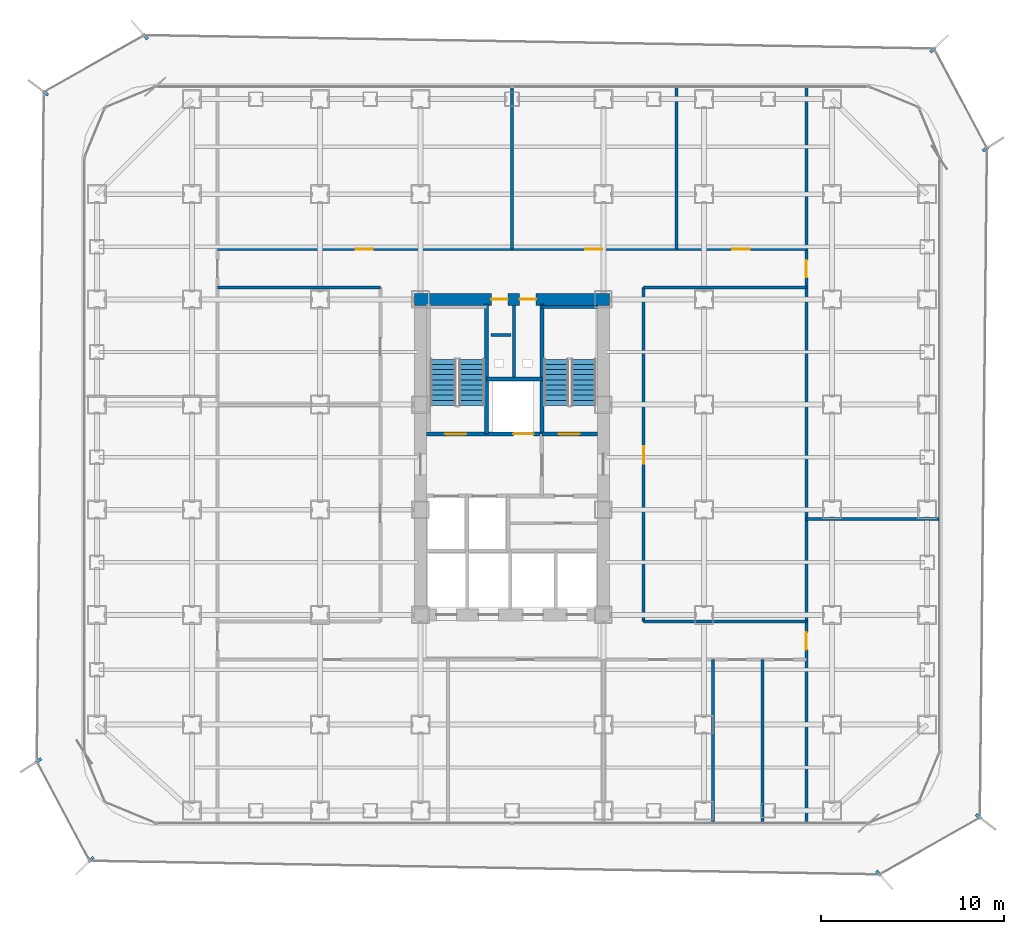
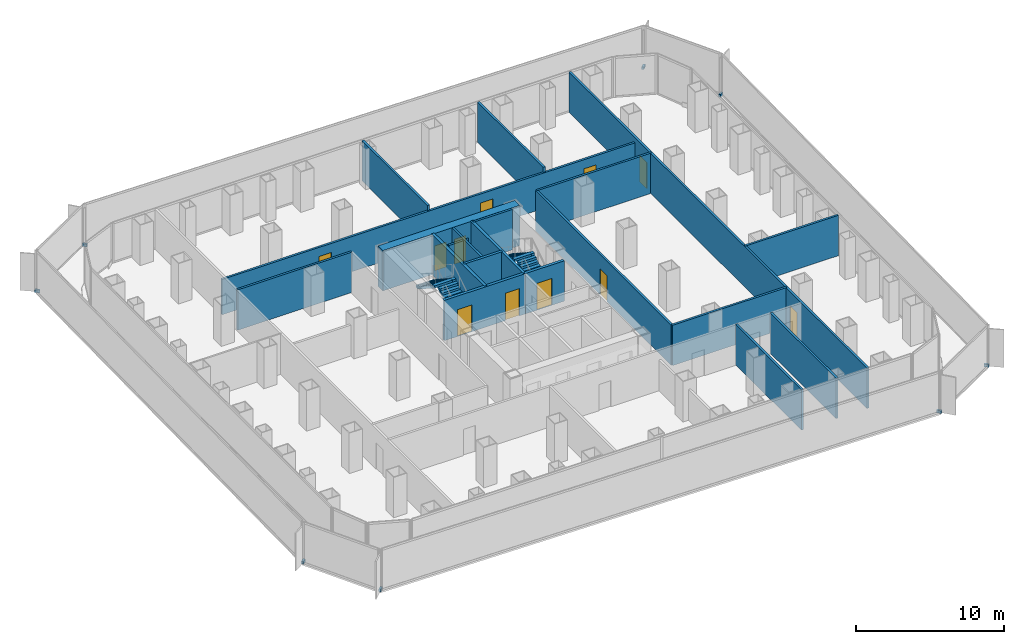
# One storey, part 18 of 21: 20 walls, 11 doors, 8 discrete accessories, 4 stair flights, 11 openings, 2 elements without a shape of their own.
"""IFC4 building model written with IfcOpenShell, lengths in metres."""

from ifc_helpers import new_model, si_unit, direction, frame, frame_2d, origin, origin_2d, place, context, subcontext, project, spatial, polyline, rectangle, outline, extrude, source, transform, mapped, material, layer, layer_set, type_object, element, fill, aggregate, save


model = new_model("IFC4")

# Units and contexts
model_context = context("Model", 3, precision=1e-05, world=origin(), true_north=direction((0.0, 1.0)))
body_context = subcontext(model_context, "Body", "Model", "MODEL_VIEW")
ifc_project = project(units=[si_unit("LENGTHUNIT", "METRE"), si_unit("AREAUNIT", "SQUARE_METRE"), si_unit("VOLUMEUNIT", "CUBIC_METRE"), si_unit("PLANEANGLEUNIT", "RADIAN"), si_unit("MASSUNIT", "GRAM", prefix="KILO")], contexts=[model_context])

# Site, building, storey
site_placement = place(None, origin())
site = spatial("IfcSite", under=ifc_project, at=site_placement, CompositionType="ELEMENT")
building_placement = place(site_placement, origin())
building = spatial("IfcBuilding", under=site, at=building_placement, Name="Kolveth Station Tower", CompositionType="ELEMENT")
storey_placement = place(building_placement, frame((0.0, 0.0, 40.5)))
storey = spatial("IfcBuildingStorey", under=building, at=storey_placement, Name="L10", CompositionType="ELEMENT", Elevation=40.5)

# Wall, openings, doors
ifc_material_1 = material(Name="Concrete C60/75", Category="concrete")
ifc_layer_1 = layer(ifc_material_1, 0.64990234375)
ifc_layer_set_1 = layer_set([ifc_layer_1], Name="Concrete C60/75")
wall_type_1 = type_object("IfcWallType", Name="Wall_CW-650", PredefinedType="SHEAR", material=ifc_layer_set_1)
wall_1_placement = place(storey_placement, frame((18.175048828125, 28.75, 0.0), z_axis=(0.0, 0.0, 1.0), x_axis=(1.0, 0.0, 0.0)))
wall_1 = element("IfcWall", 1, at=wall_1_placement, inside=storey, type_object=wall_type_1, Name="L10 Core RC Shear Wall N", PredefinedType="SHEAR", context=body_context, shape_type="SweptSolid", body=[
    extrude(rectangle(XDim=10.64990234375, YDim=0.64990234375, at=frame_2d((5.324951171875, 0.0))), origin(), (0.0, 0.0, 1.0), 3.320068359375),
])
opening_1_placement = place(wall_1_placement, frame((4.205078125, 0.0, 0.0)))
opening_1 = element("IfcOpeningElement", 2, at=opening_1_placement, cuts=wall_1, Name="Opening RD1", PredefinedType="OPENING", context=body_context, shape_type="SweptSolid", body=[
    extrude(rectangle(XDim=0.89990234375, YDim=2.050048828125, at=frame_2d((0.449951171875, 1.02490234375))), frame((0.0, 0.3349609375, 0.0), z_axis=(0.0, -1.0, 0.0), x_axis=(1.0, 0.0, 0.0)), (0.0, 0.0, 1.0), 0.669921875),
])
opening_2_placement = place(wall_1_placement, frame((5.7451171875, 0.0, 0.0)))
opening_2 = element("IfcOpeningElement", 3, at=opening_2_placement, cuts=wall_1, Name="Opening RD1", PredefinedType="OPENING", context=body_context, shape_type="SweptSolid", body=[
    extrude(rectangle(XDim=0.89990234375, YDim=2.050048828125, at=frame_2d((0.449951171875, 1.02490234375))), frame((0.0, 0.3349609375, 0.0), z_axis=(0.0, -1.0, 0.0), x_axis=(1.0, 0.0, 0.0)), (0.0, 0.0, 1.0), 0.669921875),
])
ifc_material_2 = material(Name="Fire-rated Steel S355 riser access leaf", Category="steel")
door_type_1 = type_object("IfcDoorType", Name="Door_RD1", OperationType="NOTDEFINED", PredefinedType="DOOR", material=ifc_material_2)
door_1_placement = place(opening_1_placement, origin())
door_1 = element("IfcDoor", 4, at=door_1_placement, inside=storey, type_object=door_type_1, Name="L10 Electrical Riser Access Door", OperationType="SINGLE_SWING_RIGHT", OverallHeight=2.050048828125, OverallWidth=0.89990234375, PredefinedType="DOOR", context=body_context, shape_type="SweptSolid", body=[
    extrude(rectangle(XDim=0.89990234375, YDim=2.050048828125, at=frame_2d((0.449951171875, 1.02490234375))), frame((0.0, 0.02490234375, 0.0), z_axis=(0.0, -1.0, 0.0), x_axis=(1.0, 0.0, 0.0)), (0.0, 0.0, 1.0), 0.050048828125),
])
fill(opening_1, door_1)
door_2_placement = place(opening_2_placement, origin())
door_2 = element("IfcDoor", 5, at=door_2_placement, inside=storey, type_object=door_type_1, Name="L10 Smoke Duct Access Door", OperationType="SINGLE_SWING_LEFT", OverallHeight=2.050048828125, OverallWidth=0.89990234375, PredefinedType="DOOR", context=body_context, shape_type="SweptSolid", body=[
    extrude(rectangle(XDim=0.89990234375, YDim=2.050048828125, at=frame_2d((0.449951171875, 1.02490234375))), frame((0.0, 0.02490234375, 0.0), z_axis=(0.0, -1.0, 0.0), x_axis=(1.0, 0.0, 0.0)), (0.0, 0.0, 1.0), 0.050048828125),
])
fill(opening_2, door_2)

# Walls
ifc_material_3 = material(Name="Acoustic double-stud gypsum partition")
ifc_layer_2 = layer(ifc_material_3, 0.1650390625)
ifc_layer_set_2 = layer_set([ifc_layer_2], Name="Acoustic double-stud gypsum partition")
wall_type_2 = type_object("IfcWallType", Name="Wall_IW-165", PredefinedType="PARTITIONING", material=ifc_layer_set_2)
wall_2_placement = place(storey_placement, frame((25.1298828125, 28.3349609375, 0.0), z_axis=(0.0, 0.0, 1.0), x_axis=(1.0, 0.0, 0.0)))
element("IfcWall", 6, at=wall_2_placement, inside=storey, type_object=wall_type_2, Name="L10 Stair Shaft Wall WL-L10-ST2-N", PredefinedType="PARTITIONING", context=body_context, shape_type="SweptSolid", body=[
    extrude(rectangle(XDim=3.03515625, YDim=0.1650390625, at=frame_2d((1.517578125, 0.0))), origin(), (0.0, 0.0, 1.0), 3.320068359375),
])
wall_3_placement = place(storey_placement, frame((23.6201171875, 24.39990234375, 0.0), z_axis=(0.0, 0.0, 1.0), x_axis=(0.0, 1.0, 0.0)))
element("IfcWall", 7, at=wall_3_placement, inside=storey, type_object=wall_type_2, Name="L10 Partition Wall WL-L10-RSR-M", PredefinedType="PARTITIONING", context=body_context, shape_type="SweptSolid", body=[
    extrude(rectangle(XDim=4.01513671875, YDim=0.1650390625, at=frame_2d((2.007568359375, 0.0))), origin(), (0.0, 0.0, 1.0), 3.320068359375),
])

# Wall, openings, doors
wall_4_placement = place(storey_placement, frame((7.39990234375, 31.5, 0.0), z_axis=(0.0, 0.0, 1.0), x_axis=(1.0, 0.0, 0.0)))
wall_4 = element("IfcWall", 8, at=wall_4_placement, inside=storey, type_object=wall_type_2, Name="L10 Partition Wall WL-L10-ON", PredefinedType="PARTITIONING", context=body_context, shape_type="SweptSolid", body=[
    extrude(rectangle(XDim=32.2001953125, YDim=0.1650390625, at=frame_2d((16.10009765625, 0.0))), origin(), (0.0, 0.0, 1.0), 2.89794921875),
])
opening_3_placement = place(wall_4_placement, frame((7.550048828125, 0.0, 0.0)))
opening_3 = element("IfcOpeningElement", 9, at=opening_3_placement, cuts=wall_4, Name="Opening ID1", PredefinedType="OPENING", context=body_context, shape_type="SweptSolid", body=[
    extrude(rectangle(XDim=0.949951171875, YDim=2.14990234375, at=frame_2d((0.47509765625, 1.074951171875))), frame((0.0, 0.092529296875, 0.0), z_axis=(0.0, -1.0, 0.0), x_axis=(1.0, 0.0, 0.0)), (0.0, 0.0, 1.0), 0.18505859375),
])
opening_4_placement = place(wall_4_placement, frame((20.10009765625, 0.0, 0.0)))
opening_4 = element("IfcOpeningElement", 10, at=opening_4_placement, cuts=wall_4, Name="Opening ID1", PredefinedType="OPENING", context=body_context, shape_type="SweptSolid", body=[
    extrude(rectangle(XDim=0.949951171875, YDim=2.14990234375, at=frame_2d((0.47509765625, 1.074951171875))), frame((0.0, 0.092529296875, 0.0), z_axis=(0.0, -1.0, 0.0), x_axis=(1.0, 0.0, 0.0)), (0.0, 0.0, 1.0), 0.18505859375),
])
opening_5_placement = place(wall_4_placement, frame((28.14990234375, 0.0, 0.0)))
opening_5 = element("IfcOpeningElement", 11, at=opening_5_placement, cuts=wall_4, Name="Opening ID1", PredefinedType="OPENING", context=body_context, shape_type="SweptSolid", body=[
    extrude(rectangle(XDim=0.949951171875, YDim=2.14990234375, at=frame_2d((0.47509765625, 1.074951171875))), frame((0.0, 0.092529296875, 0.0), z_axis=(0.0, -1.0, 0.0), x_axis=(1.0, 0.0, 0.0)), (0.0, 0.0, 1.0), 0.18505859375),
])
ifc_material_4 = material(Name="Acoustic hardwood leaf and aluminium frame", Category="wood")
door_type_2 = type_object("IfcDoorType", Name="Door_ID1", OperationType="NOTDEFINED", PredefinedType="DOOR", material=ifc_material_4)
door_3_placement = place(opening_3_placement, origin())
door_3 = element("IfcDoor", 12, at=door_3_placement, inside=storey, type_object=door_type_2, Name="L10 Training Seminar Room Door", OperationType="SINGLE_SWING_LEFT", OverallHeight=2.14990234375, OverallWidth=0.949951171875, PredefinedType="DOOR", context=body_context, shape_type="SweptSolid", body=[
    extrude(rectangle(XDim=0.949951171875, YDim=2.14990234375, at=frame_2d((0.47509765625, 1.074951171875))), frame((0.0, 0.02490234375, 0.0), z_axis=(0.0, -1.0, 0.0), x_axis=(1.0, 0.0, 0.0)), (0.0, 0.0, 1.0), 0.050048828125),
])
fill(opening_3, door_3)
door_4_placement = place(opening_4_placement, origin())
door_4 = element("IfcDoor", 13, at=door_4_placement, inside=storey, type_object=door_type_2, Name="L10 Project War Room Door", OperationType="SINGLE_SWING_LEFT", OverallHeight=2.14990234375, OverallWidth=0.949951171875, PredefinedType="DOOR", context=body_context, shape_type="SweptSolid", body=[
    extrude(rectangle(XDim=0.949951171875, YDim=2.14990234375, at=frame_2d((0.47509765625, 1.074951171875))), frame((0.0, 0.02490234375, 0.0), z_axis=(0.0, -1.0, 0.0), x_axis=(1.0, 0.0, 0.0)), (0.0, 0.0, 1.0), 0.050048828125),
])
fill(opening_4, door_4)
door_5_placement = place(opening_5_placement, origin())
door_5 = element("IfcDoor", 14, at=door_5_placement, inside=storey, type_object=door_type_2, Name="L10 Quiet Study Room Door", OperationType="SINGLE_SWING_LEFT", OverallHeight=2.14990234375, OverallWidth=0.949951171875, PredefinedType="DOOR", context=body_context, shape_type="SweptSolid", body=[
    extrude(rectangle(XDim=0.949951171875, YDim=2.14990234375, at=frame_2d((0.47509765625, 1.074951171875))), frame((0.0, 0.02490234375, 0.0), z_axis=(0.0, -1.0, 0.0), x_axis=(1.0, 0.0, 0.0)), (0.0, 0.0, 1.0), 0.050048828125),
])
fill(opening_5, door_5)

# Walls
for number, where, z_axis, x_axis, name in (
    (15, (30.699951171875, 11.14990234375, 0.0), (0.0, 0.0, 1.0), (1.0, 0.0, 0.0), "L10 Partition Wall WL-L10-OSET"),
    (16, (7.39990234375, 29.39990234375, 0.0), (0.0, 0.0, 1.0), (1.0, 0.0, 0.0), "L10 Partition Wall WL-L10-ONWB"),
    (17, (30.699951171875, 29.39990234375, 0.0), (0.0, 0.0, 1.0), (1.0, 0.0, 0.0), "L10 Partition Wall WL-L10-ONEB"),
):
    element("IfcWall", number, at=place(storey_placement, frame(where, z_axis=z_axis, x_axis=x_axis)), inside=storey, type_object=wall_type_2, Name=name, PredefinedType="PARTITIONING", context=body_context, shape_type="SweptSolid", body=[
        extrude(rectangle(XDim=8.900146484375, YDim=0.1650390625, at=frame_2d((4.4501953125, 0.0))), origin(), (0.0, 0.0, 1.0), 3.320068359375),
    ])

# Wall, opening, door
wall_5_placement = place(storey_placement, frame((30.699951171875, 11.14990234375, 0.0), z_axis=(0.0, 0.0, 1.0), x_axis=(0.0, 1.0, 0.0)))
wall_5 = element("IfcWall", 18, at=wall_5_placement, inside=storey, type_object=wall_type_2, Name="L10 Partition Wall WL-L10-OCE", PredefinedType="PARTITIONING", context=body_context, shape_type="SweptSolid", body=[
    extrude(rectangle(XDim=18.25, YDim=0.1650390625, at=frame_2d((9.125, 0.0))), origin(), (0.0, 0.0, 1.0), 3.320068359375),
])
opening_6_placement = place(wall_5_placement, frame((8.625, 0.0, 0.0)))
opening_6 = element("IfcOpeningElement", 19, at=opening_6_placement, cuts=wall_5, Name="Opening ID1", PredefinedType="OPENING", context=body_context, shape_type="SweptSolid", body=[
    extrude(rectangle(XDim=0.949951171875, YDim=2.14990234375, at=frame_2d((0.47509765625, 1.074951171875))), frame((0.0, 0.092529296875, 0.0), z_axis=(0.0, -1.0, 0.0), x_axis=(1.0, 0.0, 0.0)), (0.0, 0.0, 1.0), 0.18505859375),
])
door_6_placement = place(opening_6_placement, origin())
door_6 = element("IfcDoor", 20, at=door_6_placement, inside=storey, type_object=door_type_2, Name="L10 Internal Meeting Room E1 Door", OperationType="SINGLE_SWING_RIGHT", OverallHeight=2.14990234375, OverallWidth=0.949951171875, PredefinedType="DOOR", context=body_context, shape_type="SweptSolid", body=[
    extrude(rectangle(XDim=0.949951171875, YDim=2.14990234375, at=frame_2d((0.47509765625, 1.074951171875))), frame((0.0, 0.02490234375, 0.0), z_axis=(0.0, -1.0, 0.0), x_axis=(1.0, 0.0, 0.0)), (0.0, 0.0, 1.0), 0.050048828125),
])
fill(opening_6, door_6)

# Wall, openings, doors
wall_6_placement = place(storey_placement, frame((39.60009765625, 0.159912109375, 0.0), z_axis=(0.0, 0.0, 1.0), x_axis=(0.0, 1.0, 0.0)))
wall_6 = element("IfcWall", 21, at=wall_6_placement, inside=storey, type_object=wall_type_2, Name="L10 Partition Wall WL-L10-OEEND", PredefinedType="PARTITIONING", context=body_context, shape_type="SweptSolid", body=[
    extrude(rectangle(XDim=40.18017578125, YDim=0.1650390625, at=frame_2d((20.090087890625, 0.0))), origin(), (0.0, 0.0, 1.0), 3.320068359375),
])
opening_7_placement = place(wall_6_placement, frame((9.43994140625, 0.0, 0.0)))
opening_7 = element("IfcOpeningElement", 22, at=opening_7_placement, cuts=wall_6, Name="Opening ID1", PredefinedType="OPENING", context=body_context, shape_type="SweptSolid", body=[
    extrude(rectangle(XDim=0.949951171875, YDim=2.14990234375, at=frame_2d((0.47509765625, 1.074951171875))), frame((0.0, 0.092529296875, 0.0), z_axis=(0.0, -1.0, 0.0), x_axis=(1.0, 0.0, 0.0)), (0.0, 0.0, 1.0), 0.18505859375),
])
opening_8_placement = place(wall_6_placement, frame((29.7900390625, 0.0, 0.0)))
opening_8 = element("IfcOpeningElement", 23, at=opening_8_placement, cuts=wall_6, Name="Opening ID1", PredefinedType="OPENING", context=body_context, shape_type="SweptSolid", body=[
    extrude(rectangle(XDim=0.949951171875, YDim=2.14990234375, at=frame_2d((0.47509765625, 1.074951171875))), frame((0.0, 0.092529296875, 0.0), z_axis=(0.0, -1.0, 0.0), x_axis=(1.0, 0.0, 0.0)), (0.0, 0.0, 1.0), 0.18505859375),
])
door_7_placement = place(opening_7_placement, origin())
door_7 = element("IfcDoor", 24, at=door_7_placement, inside=storey, type_object=door_type_2, Name="L10 East-South Wing Door", OperationType="SINGLE_SWING_RIGHT", OverallHeight=2.14990234375, OverallWidth=0.949951171875, PredefinedType="DOOR", context=body_context, shape_type="SweptSolid", body=[
    extrude(rectangle(XDim=0.949951171875, YDim=2.14990234375, at=frame_2d((0.47509765625, 1.074951171875))), frame((0.0, 0.02490234375, 0.0), z_axis=(0.0, -1.0, 0.0), x_axis=(1.0, 0.0, 0.0)), (0.0, 0.0, 1.0), 0.050048828125),
])
fill(opening_7, door_7)
door_8_placement = place(opening_8_placement, origin())
door_8 = element("IfcDoor", 25, at=door_8_placement, inside=storey, type_object=door_type_2, Name="L10 East-North Wing Door", OperationType="SINGLE_SWING_LEFT", OverallHeight=2.14990234375, OverallWidth=0.949951171875, PredefinedType="DOOR", context=body_context, shape_type="SweptSolid", body=[
    extrude(rectangle(XDim=0.949951171875, YDim=2.14990234375, at=frame_2d((0.47509765625, 1.074951171875))), frame((0.0, 0.02490234375, 0.0), z_axis=(0.0, -1.0, 0.0), x_axis=(1.0, 0.0, 0.0)), (0.0, 0.0, 1.0), 0.050048828125),
])
fill(opening_8, door_8)

# Walls
for number, where, z_axis, x_axis, name in (
    (26, (34.5, 0.159912109375, 0.0), (0.0, 0.0, 1.0), (0.0, 1.0, 0.0), "L10 Partition Wall WL-L10-OS-P3"),
    (27, (37.199951171875, 0.159912109375, 0.0), (0.0, 0.0, 1.0), (0.0, 1.0, 0.0), "L10 Partition Wall WL-L10-OS-P4"),
):
    element("IfcWall", number, at=place(storey_placement, frame(where, z_axis=z_axis, x_axis=x_axis)), inside=storey, type_object=wall_type_2, Name=name, PredefinedType="PARTITIONING", context=body_context, shape_type="SweptSolid", body=[
        extrude(rectangle(XDim=8.89013671875, YDim=0.1650390625, at=frame_2d((4.445068359375, 0.0))), origin(), (0.0, 0.0, 1.0), 3.320068359375),
    ])
for number, where, z_axis, x_axis, name in (
    (28, (23.5, 31.5, 0.0), (0.0, 0.0, 1.0), (0.0, 1.0, 0.0), "L10 Partition Wall WL-L10-ON-P1"),
    (29, (32.5, 31.5, 0.0), (0.0, 0.0, 1.0), (0.0, 1.0, 0.0), "L10 Partition Wall WL-L10-ON-P2"),
):
    element("IfcWall", number, at=place(storey_placement, frame(where, z_axis=z_axis, x_axis=x_axis)), inside=storey, type_object=wall_type_2, Name=name, PredefinedType="PARTITIONING", context=body_context, shape_type="SweptSolid", body=[
        extrude(rectangle(XDim=8.840087890625, YDim=0.1650390625, at=frame_2d((4.419921875, 0.0))), origin(), (0.0, 0.0, 1.0), 3.320068359375),
    ])
wall_7_placement = place(storey_placement, frame((39.60009765625, 16.75, 0.0), z_axis=(0.0, 0.0, 1.0), x_axis=(1.0, 0.0, 0.0)))
element("IfcWall", 30, at=wall_7_placement, inside=storey, type_object=wall_type_2, Name="L10 Partition Wall WL-L10-OEM", PredefinedType="PARTITIONING", context=body_context, shape_type="SweptSolid", body=[
    extrude(rectangle(XDim=7.239990234375, YDim=0.1650390625, at=frame_2d((3.6201171875, 0.0))), origin(), (0.0, 0.0, 1.0), 3.320068359375),
])
wall_8_placement = place(storey_placement, frame((22.35009765625, 26.800048828125, 0.0), z_axis=(0.0, 0.0, 1.0), x_axis=(1.0, 0.0, 0.0)))
element("IfcWall", 31, at=wall_8_placement, inside=storey, type_object=wall_type_2, Name="L10 Acoustic Riser Dry-Lining Wall", PredefinedType="PARTITIONING", context=body_context, shape_type="SweptSolid", body=[
    extrude(rectangle(XDim=1.099853515625, YDim=0.1650390625, at=frame_2d((0.5498046875, 0.0))), origin(), (0.0, 0.0, 1.0), 3.320068359375),
])
ifc_material_5 = material(Name="Acoustic fire-rated gypsum blockwork", Category="masonry")
ifc_layer_3 = layer(ifc_material_5, 0.199951171875)
ifc_layer_set_3 = layer_set([ifc_layer_3], Name="Acoustic fire-rated gypsum blockwork")
wall_type_3 = type_object("IfcWallType", Name="Wall_IW-200", PredefinedType="PARTITIONING", material=ifc_layer_set_3)
wall_9_placement = place(storey_placement, frame((22.110107421875, 24.39990234375, 0.0), z_axis=(0.0, 0.0, 1.0), x_axis=(1.0, 0.0, 0.0)))
element("IfcWall", 32, at=wall_9_placement, inside=storey, type_object=wall_type_3, Name="L10 Partition Wall WL-L10-RSR-S", PredefinedType="PARTITIONING", context=body_context, shape_type="SweptSolid", body=[
    extrude(rectangle(XDim=3.019775390625, YDim=0.199951171875, at=frame_2d((1.509765625, 0.0))), origin(), (0.0, 0.0, 1.0), 3.320068359375),
])
ifc_material_6 = material(Name="Concrete C40/50", Category="concrete")
ifc_layer_4 = layer(ifc_material_6, 0.219970703125)
ifc_layer_set_4 = layer_set([ifc_layer_4], Name="Concrete C40/50")
wall_type_4 = type_object("IfcWallType", Name="Wall_IW-220", PredefinedType="SOLIDWALL", material=ifc_layer_set_4)
for number, where, z_axis, x_axis, name in (
    (33, (22.110107421875, 21.389892578125, 0.0), (0.0, 0.0, 1.0), (0.0, 1.0, 0.0), "L10 Stair Shaft Wall WL-L10-ST1-E"),
    (34, (25.1298828125, 21.389892578125, 0.0), (0.0, 0.0, 1.0), (0.0, 1.0, 0.0), "L10 Stair Shaft Wall WL-L10-ST2-W"),
):
    element("IfcWall", number, at=place(storey_placement, frame(where, z_axis=z_axis, x_axis=x_axis)), inside=storey, type_object=wall_type_4, Name=name, PredefinedType="SOLIDWALL", context=body_context, shape_type="SweptSolid", body=[
        extrude(rectangle(XDim=7.110107421875, YDim=0.219970703125, at=frame_2d((3.55517578125, 0.0))), origin(), (0.0, 0.0, 1.0), 3.320068359375),
    ])

# Wall, openings, doors
wall_10_placement = place(storey_placement, frame((18.8349609375, 21.389892578125, 0.0), z_axis=(0.0, 0.0, 1.0), x_axis=(1.0, 0.0, 0.0)))
wall_10 = element("IfcWall", 35, at=wall_10_placement, inside=storey, type_object=wall_type_4, Name="L10 Stair Shaft Wall WL-L10-ST1-S", PredefinedType="SOLIDWALL", context=body_context, shape_type="SweptSolid", body=[
    extrude(rectangle(XDim=6.294921875, YDim=0.219970703125, at=frame_2d((3.1474609375, 0.0))), origin(), (0.0, 0.0, 1.0), 3.320068359375),
])
opening_9_placement = place(wall_10_placement, frame((1.014892578125, 0.0, 0.0)))
opening_9 = element("IfcOpeningElement", 36, at=opening_9_placement, cuts=wall_10, Name="Opening FD1", PredefinedType="OPENING", context=body_context, shape_type="SweptSolid", body=[
    extrude(rectangle(XDim=1.14990234375, YDim=2.199951171875, at=frame_2d((0.574951171875, 1.10009765625))), frame((0.0, 0.119873046875, 0.0), z_axis=(0.0, -1.0, 0.0), x_axis=(1.0, 0.0, 0.0)), (0.0, 0.0, 1.0), 0.239990234375),
])
opening_10_placement = place(wall_10_placement, frame((4.7451171875, 0.0, 0.0)))
opening_10 = element("IfcOpeningElement", 37, at=opening_10_placement, cuts=wall_10, Name="Opening LD1", PredefinedType="OPENING", context=body_context, shape_type="SweptSolid", body=[
    extrude(rectangle(XDim=1.10009765625, YDim=2.25, at=frame_2d((0.550048828125, 1.125))), frame((0.0, 0.119873046875, 0.0), z_axis=(0.0, -1.0, 0.0), x_axis=(1.0, 0.0, 0.0)), (0.0, 0.0, 1.0), 0.239990234375),
])
ifc_material_7 = material(Name="Fire-rated Steel S355 leaf and frame", Category="steel")
door_type_3 = type_object("IfcDoorType", Name="Door_FD1", OperationType="NOTDEFINED", PredefinedType="DOOR", material=ifc_material_7)
door_9_placement = place(opening_9_placement, frame((1.14990234375, 0.0, 0.0), z_axis=(0.0, 0.0, 1.0), x_axis=(-1.0, 0.0, 0.0)))
door_9 = element("IfcDoor", 38, at=door_9_placement, inside=storey, type_object=door_type_3, Name="L10 Stair ST1 Fire Door", OperationType="SINGLE_SWING_LEFT", OverallHeight=2.199951171875, OverallWidth=1.14990234375, PredefinedType="DOOR", context=body_context, shape_type="SweptSolid", body=[
    extrude(rectangle(XDim=1.14990234375, YDim=2.199951171875, at=frame_2d((0.574951171875, 1.10009765625))), frame((0.0, 0.02490234375, 0.0), z_axis=(0.0, -1.0, 0.0), x_axis=(1.0, 0.0, 0.0)), (0.0, 0.0, 1.0), 0.050048828125),
])
fill(opening_9, door_9)
ifc_material_8 = material(Name="Brushed stainless steel sliding landing doors", Category="steel")
door_type_4 = type_object("IfcDoorType", Name="Door_LD1", OperationType="NOTDEFINED", PredefinedType="DOOR", material=ifc_material_8)
door_10_placement = place(opening_10_placement, frame((1.10009765625, 0.0, 0.0), z_axis=(0.0, 0.0, 1.0), x_axis=(-1.0, 0.0, 0.0)))
door_10 = element("IfcDoor", 39, at=door_10_placement, inside=storey, type_object=door_type_4, Name="L10 Service Lift SV1 Landing Door", OperationType="DOUBLE_DOOR_SLIDING", OverallHeight=2.25, OverallWidth=1.10009765625, PredefinedType="DOOR", context=body_context, shape_type="SweptSolid", body=[
    extrude(rectangle(XDim=1.10009765625, YDim=2.25, at=frame_2d((0.550048828125, 1.125))), frame((0.0, 0.02490234375, 0.0), z_axis=(0.0, -1.0, 0.0), x_axis=(1.0, 0.0, 0.0)), (0.0, 0.0, 1.0), 0.050048828125),
])
fill(opening_10, door_10)

# Wall, opening, door
wall_11_placement = place(storey_placement, frame((25.1298828125, 21.389892578125, 0.0), z_axis=(0.0, 0.0, 1.0), x_axis=(1.0, 0.0, 0.0)))
wall_11 = element("IfcWall", 40, at=wall_11_placement, inside=storey, type_object=wall_type_4, Name="L10 Stair Shaft Wall WL-L10-ST2-S", PredefinedType="SOLIDWALL", context=body_context, shape_type="SweptSolid", body=[
    extrude(rectangle(XDim=3.03515625, YDim=0.219970703125, at=frame_2d((1.517578125, 0.0))), origin(), (0.0, 0.0, 1.0), 3.320068359375),
])
opening_11_placement = place(wall_11_placement, frame((0.919921875, 0.0, 0.0)))
opening_11 = element("IfcOpeningElement", 41, at=opening_11_placement, cuts=wall_11, Name="Opening FD1", PredefinedType="OPENING", context=body_context, shape_type="SweptSolid", body=[
    extrude(rectangle(XDim=1.14990234375, YDim=2.199951171875, at=frame_2d((0.574951171875, 1.10009765625))), frame((0.0, 0.119873046875, 0.0), z_axis=(0.0, -1.0, 0.0), x_axis=(1.0, 0.0, 0.0)), (0.0, 0.0, 1.0), 0.239990234375),
])
door_11_placement = place(opening_11_placement, frame((1.14990234375, 0.0, 0.0), z_axis=(0.0, 0.0, 1.0), x_axis=(-1.0, 0.0, 0.0)))
door_11 = element("IfcDoor", 42, at=door_11_placement, inside=storey, type_object=door_type_3, Name="L10 Stair ST2 Fire Door", OperationType="SINGLE_SWING_RIGHT", OverallHeight=2.199951171875, OverallWidth=1.14990234375, PredefinedType="DOOR", context=body_context, shape_type="SweptSolid", body=[
    extrude(rectangle(XDim=1.14990234375, YDim=2.199951171875, at=frame_2d((0.574951171875, 1.10009765625))), frame((0.0, 0.02490234375, 0.0), z_axis=(0.0, -1.0, 0.0), x_axis=(1.0, 0.0, 0.0)), (0.0, 0.0, 1.0), 0.050048828125),
])
fill(opening_11, door_11)

# Stair, stair flights
stair_type_1 = type_object("IfcStairType", Name="Stair_ST1", PredefinedType="HALF_TURN_STAIR", material=ifc_material_6)
stair_1_placement = place(storey_placement, origin())
stair_1 = element("IfcStair", 43, at=stair_1_placement, inside=storey, type_object=stair_type_1, Name="L10 Tower Exit Stair ST1", PredefinedType="HALF_TURN_STAIR")
ifc_layer_5 = layer(ifc_material_6, 0.179931640625)
ifc_layer_set_5 = layer_set([ifc_layer_5], Name="Concrete C40/50")
stair_flight_type_1 = type_object("IfcStairFlightType", Name="Flight_ST1", PredefinedType="STRAIGHT", material=ifc_layer_set_5)
stair_flight_1_placement = place(storey_placement, frame((21.300048828125, 22.949951171875, 0.0), z_axis=(0.0, 0.0, 1.0), x_axis=(0.0, 1.0, 0.0)))
stair_flight_1 = element("IfcStairFlight", 44, at=stair_flight_1_placement, type_object=stair_flight_type_1, Name="ST1 flight 1", NumberOfRisers=10, NumberOfTreads=9, PredefinedType="STRAIGHT", RiserHeight=0.18, TreadLength=0.28, context=body_context, shape_type="SweptSolid", body=[
    extrude(outline(polyline([(0.0, 0.0), (0.0, 0.179931640625), (0.280029296875, 0.179931640625), (0.280029296875, 0.360107421875), (0.56005859375, 0.360107421875), (0.56005859375, 0.5400390625), (0.840087890625, 0.5400390625), (0.840087890625, 0.719970703125), (1.1201171875, 0.719970703125), (1.1201171875, 0.89990234375), (1.39990234375, 0.89990234375), (1.39990234375, 1.080078125), (1.679931640625, 1.080078125), (1.679931640625, 1.260009765625), (1.9599609375, 1.260009765625), (1.9599609375, 1.43994140625), (2.239990234375, 1.43994140625), (2.239990234375, 1.6201171875), (2.52001953125, 1.6201171875), (2.52001953125, 1.800048828125), (2.52001953125, 1.44189453125), (0.277099609375, 0.0), (0.0, 0.0)])), frame((0.0, 0.699951171875, 0.0), z_axis=(0.0, -1.0, 0.0), x_axis=(1.0, 0.0, 0.0)), (0.0, 0.0, 1.0), 1.39990234375),
])
stair_flight_2_placement = place(storey_placement, frame((19.739990234375, 25.469970703125, 1.800048828125), z_axis=(0.0, 0.0, 1.0), x_axis=(0.0, -1.0, 0.0)))
stair_flight_2 = element("IfcStairFlight", 45, at=stair_flight_2_placement, type_object=stair_flight_type_1, Name="ST1 flight 2", NumberOfRisers=10, NumberOfTreads=9, PredefinedType="STRAIGHT", RiserHeight=0.18, TreadLength=0.28, context=body_context, shape_type="SweptSolid", body=[
    extrude(outline(polyline([(0.0, 0.0), (0.0, 0.179931640625), (0.280029296875, 0.179931640625), (0.280029296875, 0.360107421875), (0.56005859375, 0.360107421875), (0.56005859375, 0.5400390625), (0.840087890625, 0.5400390625), (0.840087890625, 0.719970703125), (1.1201171875, 0.719970703125), (1.1201171875, 0.89990234375), (1.39990234375, 0.89990234375), (1.39990234375, 1.080078125), (1.679931640625, 1.080078125), (1.679931640625, 1.260009765625), (1.9599609375, 1.260009765625), (1.9599609375, 1.43994140625), (2.239990234375, 1.43994140625), (2.239990234375, 1.6201171875), (2.52001953125, 1.6201171875), (2.52001953125, 1.800048828125), (2.52001953125, 1.44189453125), (0.277099609375, 0.0), (0.0, 0.0)])), frame((0.0, 0.699951171875, 0.0), z_axis=(0.0, -1.0, 0.0), x_axis=(1.0, 0.0, 0.0)), (0.0, 0.0, 1.0), 1.39990234375),
])
aggregate(stair_1, [stair_flight_1, stair_flight_2])

stair_type_2 = type_object("IfcStairType", Name="Stair_ST2", PredefinedType="HALF_TURN_STAIR", material=ifc_material_6)
stair_2_placement = place(storey_placement, origin())
stair_2 = element("IfcStair", 46, at=stair_2_placement, inside=storey, type_object=stair_type_2, Name="L10 Tower Exit Stair ST2", PredefinedType="HALF_TURN_STAIR")
ifc_layer_6 = layer(ifc_material_6, 0.179931640625)
ifc_layer_set_6 = layer_set([ifc_layer_6], Name="Concrete C40/50")
stair_flight_type_2 = type_object("IfcStairFlightType", Name="Flight_ST2", PredefinedType="STRAIGHT", material=ifc_layer_set_6)
stair_flight_3_placement = place(storey_placement, frame((27.425048828125, 22.949951171875, 0.0), z_axis=(0.0, 0.0, 1.0), x_axis=(0.0, 1.0, 0.0)))
stair_flight_3 = element("IfcStairFlight", 47, at=stair_flight_3_placement, type_object=stair_flight_type_2, Name="ST2 flight 1", NumberOfRisers=10, NumberOfTreads=9, PredefinedType="STRAIGHT", RiserHeight=0.18, TreadLength=0.28, context=body_context, shape_type="SweptSolid", body=[
    extrude(outline(polyline([(0.0, 0.0), (0.0, 0.179931640625), (0.280029296875, 0.179931640625), (0.280029296875, 0.360107421875), (0.56005859375, 0.360107421875), (0.56005859375, 0.5400390625), (0.840087890625, 0.5400390625), (0.840087890625, 0.719970703125), (1.1201171875, 0.719970703125), (1.1201171875, 0.89990234375), (1.39990234375, 0.89990234375), (1.39990234375, 1.080078125), (1.679931640625, 1.080078125), (1.679931640625, 1.260009765625), (1.9599609375, 1.260009765625), (1.9599609375, 1.43994140625), (2.239990234375, 1.43994140625), (2.239990234375, 1.6201171875), (2.52001953125, 1.6201171875), (2.52001953125, 1.800048828125), (2.52001953125, 1.44189453125), (0.277099609375, 0.0), (0.0, 0.0)])), frame((0.0, 0.675048828125, 0.0), z_axis=(0.0, -1.0, 0.0), x_axis=(1.0, 0.0, 0.0)), (0.0, 0.0, 1.0), 1.35009765625),
])
stair_flight_4_placement = place(storey_placement, frame((25.9150390625, 25.469970703125, 1.800048828125), z_axis=(0.0, 0.0, 1.0), x_axis=(0.0, -1.0, 0.0)))
stair_flight_4 = element("IfcStairFlight", 48, at=stair_flight_4_placement, type_object=stair_flight_type_2, Name="ST2 flight 2", NumberOfRisers=10, NumberOfTreads=9, PredefinedType="STRAIGHT", RiserHeight=0.18, TreadLength=0.28, context=body_context, shape_type="SweptSolid", body=[
    extrude(outline(polyline([(0.0, 0.0), (0.0, 0.179931640625), (0.280029296875, 0.179931640625), (0.280029296875, 0.360107421875), (0.56005859375, 0.360107421875), (0.56005859375, 0.5400390625), (0.840087890625, 0.5400390625), (0.840087890625, 0.719970703125), (1.1201171875, 0.719970703125), (1.1201171875, 0.89990234375), (1.39990234375, 0.89990234375), (1.39990234375, 1.080078125), (1.679931640625, 1.080078125), (1.679931640625, 1.260009765625), (1.9599609375, 1.260009765625), (1.9599609375, 1.43994140625), (2.239990234375, 1.43994140625), (2.239990234375, 1.6201171875), (2.52001953125, 1.6201171875), (2.52001953125, 1.800048828125), (2.52001953125, 1.44189453125), (0.277099609375, 0.0), (0.0, 0.0)])), frame((0.0, 0.675048828125, 0.0), z_axis=(0.0, -1.0, 0.0), x_axis=(1.0, 0.0, 0.0)), (0.0, 0.0, 1.0), 1.35009765625),
])
aggregate(stair_2, [stair_flight_3, stair_flight_4])

# Discrete accessories
ifc_material_9 = material(Name="Steel S355", Category="steel")
discrete_accessory_type = type_object("IfcDiscreteAccessoryType", Name="Bracket_BK1", PredefinedType="BRACKET", material=ifc_material_9)
shared_shape = source(origin(), body_context, "Body", "SweptSolid", [
    extrude(rectangle(XDim=0.35009765625, YDim=0.159912109375, at=origin_2d()), origin(), (0.0, 0.0, 1.0), 0.219970703125),
])
for number, where, z_axis, x_axis, name in (
    (49, (43.541015625, -2.6201171875, -0.06005859375), (0.0, 0.0, 1.0), (0.659083333334, -0.752069916777, 0.0), "L10 Double-Skin Radial Tie Bracket 1"),
    (50, (49.010009765625, 0.47607421875, -0.06005859375), (0.0, 0.0, 1.0), (0.790368909154, -0.612631200187, 0.0), "L10 Double-Skin Radial Tie Bracket 2"),
    (51, (49.39111328125, 36.966064453125, -0.06005859375), (0.0, 0.0, 1.0), (0.840093553899, 0.542441536663, 0.0), "L10 Double-Skin Radial Tie Bracket 3"),
    (52, (46.512939453125, 42.389892578125, -0.06005859375), (0.0, 0.0, 1.0), (0.720672122155, 0.693276057822, 0.0), "L10 Double-Skin Radial Tie Bracket 4"),
    (53, (3.4599609375, 43.113037109375, -0.06005859375), (0.0, 0.0, 1.0), (-0.659214584257, 0.751954873581, 0.0), "L10 Double-Skin Radial Tie Bracket 5"),
    (54, (-2.010009765625, 40.02392578125, -0.06005859375), (0.0, 0.0, 1.0), (-0.790368909154, 0.612631200187, 0.0), "L10 Double-Skin Radial Tie Bracket 6"),
    (55, (-2.386962890625, 3.534912109375, -0.06005859375), (0.0, 0.0, 1.0), (-0.840093553899, -0.542441536663, 0.0), "L10 Double-Skin Radial Tie Bracket 7"),
    (56, (0.490966796875, -1.884033203125, -0.06005859375), (0.0, 0.0, 1.0), (-0.720672122155, -0.693276057822, 0.0), "L10 Double-Skin Radial Tie Bracket 8"),
):
    element("IfcDiscreteAccessory", number, at=place(storey_placement, frame(where, z_axis=z_axis, x_axis=x_axis)), inside=storey, type_object=discrete_accessory_type, Name=name, PredefinedType="BRACKET", context=body_context, shape_type="MappedRepresentation", body=[
        mapped(shared_shape, transform((0.0, 0.0, 0.0), x_axis=(1.0, 0.0, 0.0), y_axis=(0.0, 1.0, 0.0), z_axis=(0.0, 0.0, 1.0), scale=1.0)),
    ])

save(model, "model.ifc")
